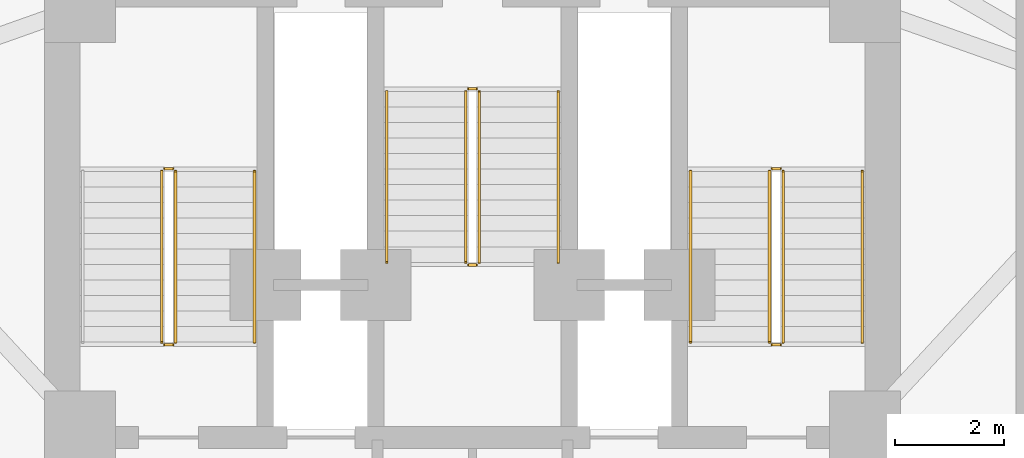
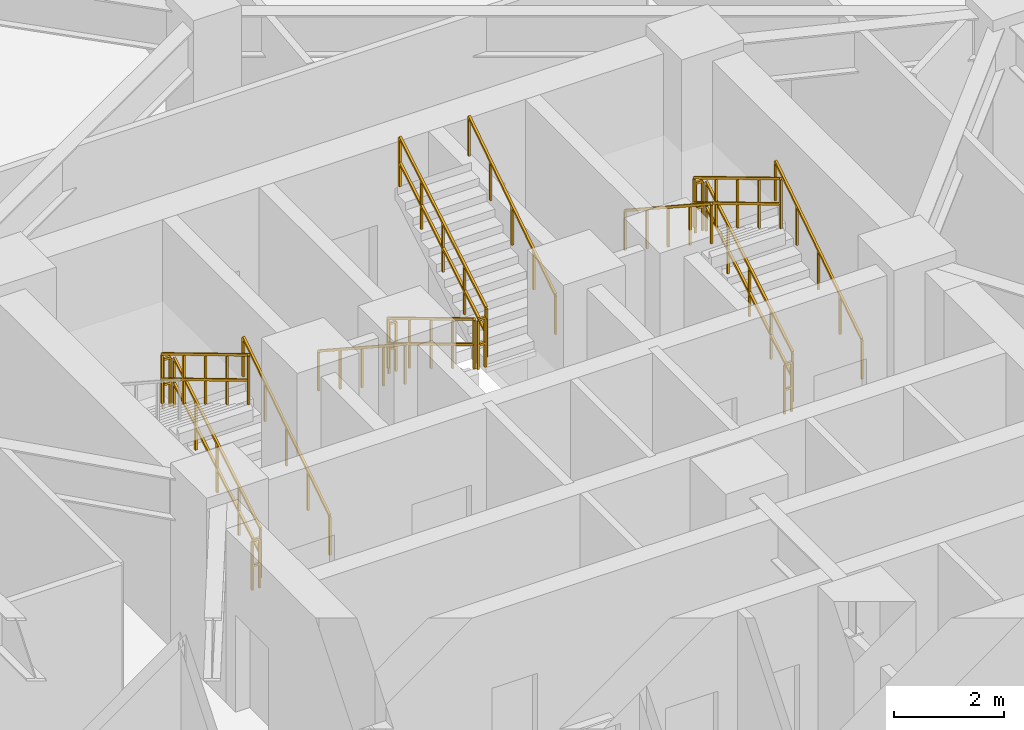
# One storey, part 9 of 10: 17 railings.
"""IFC4 building model written with IfcOpenShell, lengths in metres."""

from ifc_helpers import new_model, si_unit, direction, frame, origin, origin_2d, place, context, subcontext, project, spatial, rectangle, extrude, material, type_object, element, save


model = new_model("IFC4")

# Units and contexts
model_context = context("Model", 3, precision=1e-05, world=origin(), true_north=direction((0.0, 1.0)))
body_context = subcontext(model_context, "Body", "Model", "MODEL_VIEW")
ifc_project = project(units=[si_unit("LENGTHUNIT", "METRE"), si_unit("AREAUNIT", "SQUARE_METRE"), si_unit("VOLUMEUNIT", "CUBIC_METRE"), si_unit("PLANEANGLEUNIT", "RADIAN"), si_unit("MASSUNIT", "GRAM", prefix="KILO")], contexts=[model_context])

# Site, building, storey
site_placement = place(None, origin())
site = spatial("IfcSite", under=ifc_project, at=site_placement, CompositionType="ELEMENT")
building_placement = place(site_placement, origin())
building = spatial("IfcBuilding", under=site, at=building_placement, Name="Apsidion Concourse Tower", CompositionType="ELEMENT")
storey_placement = place(building_placement, frame((0.0, 0.0, 136.300048828125)))
storey = spatial("IfcBuildingStorey", under=building, at=storey_placement, Name="L31", CompositionType="ELEMENT", Elevation=136.300048828125)

# Railings
ifc_material = material(Name="Brushed stainless steel 316", Category="steel")
railing_type_1 = type_object("IfcRailingType", Name="RL-GUARD-1100", PredefinedType="GUARDRAIL", material=ifc_material)
railing_1_placement = place(storey_placement, frame((-5.449951171875, 3.0, 0.1708984375)))
element("IfcRailing", 1, at=railing_1_placement, inside=storey, type_object=railing_type_1, Name="L31 ST1 stair guard 1", PredefinedType="GUARDRAIL", context=body_context, shape_type="SweptSolid", body=[
    extrude(rectangle(XDim=0.048095703125, YDim=0.048095703125, at=origin_2d()), frame((0.0, 0.0, 1.09619140625), z_axis=(0.0, 0.857716804754, 0.514122439544), x_axis=(-1.0, 0.0, 0.0)), (0.0, 0.0, 1.0), 3.655029296875),
    extrude(rectangle(XDim=0.048095703125, YDim=0.048095703125, at=origin_2d()), frame((0.0, 0.0, 0.5361328125), z_axis=(0.0, 0.857716804754, 0.514122439544), x_axis=(-1.0, 0.0, 0.0)), (0.0, 0.0, 1.0), 3.655029296875),
    extrude(rectangle(XDim=0.0419921875, YDim=0.0419921875, at=origin_2d()), origin(), (0.0, 0.0, 1.0), 1.072021484375),
    extrude(rectangle(XDim=0.0419921875, YDim=0.0419921875, at=origin_2d()), frame((0.0, 0.78369140625, 0.4697265625)), (0.0, 0.0, 1.0), 1.072021484375),
    extrude(rectangle(XDim=0.0419921875, YDim=0.0419921875, at=origin_2d()), frame((0.0, 1.5673828125, 0.939453125)), (0.0, 0.0, 1.0), 1.072021484375),
    extrude(rectangle(XDim=0.0419921875, YDim=0.0419921875, at=origin_2d()), frame((0.0, 2.351318359375, 1.409423828125)), (0.0, 0.0, 1.0), 1.072021484375),
    extrude(rectangle(XDim=0.0419921875, YDim=0.0419921875, at=origin_2d()), frame((0.0, 3.135009765625, 1.879150390625)), (0.0, 0.0, 1.0), 1.072021484375),
])
railing_2_placement = place(storey_placement, frame((-5.5, 6.18505859375, 2.050048828125)))
element("IfcRailing", 2, at=railing_2_placement, inside=storey, type_object=railing_type_1, Name="L31 ST1 stair guard 2", PredefinedType="GUARDRAIL", context=body_context, shape_type="SweptSolid", body=[
    extrude(rectangle(XDim=0.048095703125, YDim=0.048095703125, at=origin_2d()), frame((0.0, 0.0, 1.09619140625), z_axis=(-1.0, 0.0, 0.0), x_axis=(0.0, -1.0, 0.0)), (0.0, 0.0, 1.0), 0.14990234375),
    extrude(rectangle(XDim=0.048095703125, YDim=0.048095703125, at=origin_2d()), frame((0.0, 0.0, 0.5361328125), z_axis=(-1.0, 0.0, 0.0), x_axis=(0.0, -1.0, 0.0)), (0.0, 0.0, 1.0), 0.14990234375),
    extrude(rectangle(XDim=0.0419921875, YDim=0.0419921875, at=origin_2d()), origin(), (0.0, 0.0, 1.0), 1.072021484375),
    extrude(rectangle(XDim=0.0419921875, YDim=0.0419921875, at=origin_2d()), frame((-0.14990234375, 0.0, 0.0)), (0.0, 0.0, 1.0), 1.072021484375),
])
railing_3_placement = place(storey_placement, frame((-5.699951171875, 6.135009765625, 2.220703125)))
element("IfcRailing", 3, at=railing_3_placement, inside=storey, type_object=railing_type_1, Name="L31 ST1 stair guard 3", PredefinedType="GUARDRAIL", context=body_context, shape_type="SweptSolid", body=[
    extrude(rectangle(XDim=0.048095703125, YDim=0.048095703125, at=origin_2d()), frame((0.0, 0.0, 1.09619140625), z_axis=(0.0, -0.857716804754, 0.514122439544), x_axis=(1.0, 0.0, 0.0)), (0.0, 0.0, 1.0), 3.655029296875),
    extrude(rectangle(XDim=0.048095703125, YDim=0.048095703125, at=origin_2d()), frame((0.0, 0.0, 0.5361328125), z_axis=(0.0, -0.857716804754, 0.514122439544), x_axis=(1.0, 0.0, 0.0)), (0.0, 0.0, 1.0), 3.655029296875),
    extrude(rectangle(XDim=0.0419921875, YDim=0.0419921875, at=origin_2d()), origin(), (0.0, 0.0, 1.0), 1.072021484375),
    extrude(rectangle(XDim=0.0419921875, YDim=0.0419921875, at=origin_2d()), frame((0.0, -0.78369140625, 0.4697265625)), (0.0, 0.0, 1.0), 1.072021484375),
    extrude(rectangle(XDim=0.0419921875, YDim=0.0419921875, at=origin_2d()), frame((0.0, -1.5673828125, 0.939453125)), (0.0, 0.0, 1.0), 1.072021484375),
    extrude(rectangle(XDim=0.0419921875, YDim=0.0419921875, at=origin_2d()), frame((0.0, -2.351318359375, 1.409423828125)), (0.0, 0.0, 1.0), 1.072021484375),
    extrude(rectangle(XDim=0.0419921875, YDim=0.0419921875, at=origin_2d()), frame((0.0, -3.135009765625, 1.879150390625)), (0.0, 0.0, 1.0), 1.072021484375),
])
railing_4_placement = place(storey_placement, frame((-5.5, 2.949951171875, 0.0)))
element("IfcRailing", 4, at=railing_4_placement, inside=storey, type_object=railing_type_1, Name="L31 ST1 stair guard 4", PredefinedType="GUARDRAIL", context=body_context, shape_type="SweptSolid", body=[
    extrude(rectangle(XDim=0.048095703125, YDim=0.048095703125, at=origin_2d()), frame((0.0, 0.0, 1.09619140625), z_axis=(-1.0, 0.0, 0.0), x_axis=(0.0, -1.0, 0.0)), (0.0, 0.0, 1.0), 0.14990234375),
    extrude(rectangle(XDim=0.048095703125, YDim=0.048095703125, at=origin_2d()), frame((0.0, 0.0, 0.5361328125), z_axis=(-1.0, 0.0, 0.0), x_axis=(0.0, -1.0, 0.0)), (0.0, 0.0, 1.0), 0.14990234375),
    extrude(rectangle(XDim=0.0419921875, YDim=0.0419921875, at=origin_2d()), origin(), (0.0, 0.0, 1.0), 1.072021484375),
    extrude(rectangle(XDim=0.0419921875, YDim=0.0419921875, at=origin_2d()), frame((-0.14990234375, 0.0, 0.0)), (0.0, 0.0, 1.0), 1.072021484375),
])
railing_5_placement = place(storey_placement, frame((5.699951171875, 3.0, 0.1708984375)))
element("IfcRailing", 5, at=railing_5_placement, inside=storey, type_object=railing_type_1, Name="L31 ST2 stair guard 1", PredefinedType="GUARDRAIL", context=body_context, shape_type="SweptSolid", body=[
    extrude(rectangle(XDim=0.048095703125, YDim=0.048095703125, at=origin_2d()), frame((0.0, 0.0, 1.09619140625), z_axis=(0.0, 0.857716804754, 0.514122439544), x_axis=(-1.0, 0.0, 0.0)), (0.0, 0.0, 1.0), 3.655029296875),
    extrude(rectangle(XDim=0.048095703125, YDim=0.048095703125, at=origin_2d()), frame((0.0, 0.0, 0.5361328125), z_axis=(0.0, 0.857716804754, 0.514122439544), x_axis=(-1.0, 0.0, 0.0)), (0.0, 0.0, 1.0), 3.655029296875),
    extrude(rectangle(XDim=0.0419921875, YDim=0.0419921875, at=origin_2d()), origin(), (0.0, 0.0, 1.0), 1.072021484375),
    extrude(rectangle(XDim=0.0419921875, YDim=0.0419921875, at=origin_2d()), frame((0.0, 0.78369140625, 0.4697265625)), (0.0, 0.0, 1.0), 1.072021484375),
    extrude(rectangle(XDim=0.0419921875, YDim=0.0419921875, at=origin_2d()), frame((0.0, 1.5673828125, 0.939453125)), (0.0, 0.0, 1.0), 1.072021484375),
    extrude(rectangle(XDim=0.0419921875, YDim=0.0419921875, at=origin_2d()), frame((0.0, 2.351318359375, 1.409423828125)), (0.0, 0.0, 1.0), 1.072021484375),
    extrude(rectangle(XDim=0.0419921875, YDim=0.0419921875, at=origin_2d()), frame((0.0, 3.135009765625, 1.879150390625)), (0.0, 0.0, 1.0), 1.072021484375),
])
railing_6_placement = place(storey_placement, frame((5.64990234375, 6.18505859375, 2.050048828125)))
element("IfcRailing", 6, at=railing_6_placement, inside=storey, type_object=railing_type_1, Name="L31 ST2 stair guard 2", PredefinedType="GUARDRAIL", context=body_context, shape_type="SweptSolid", body=[
    extrude(rectangle(XDim=0.048095703125, YDim=0.048095703125, at=origin_2d()), frame((0.0, 0.0, 1.09619140625), z_axis=(-1.0, 0.0, 0.0), x_axis=(0.0, -1.0, 0.0)), (0.0, 0.0, 1.0), 0.14990234375),
    extrude(rectangle(XDim=0.048095703125, YDim=0.048095703125, at=origin_2d()), frame((0.0, 0.0, 0.5361328125), z_axis=(-1.0, 0.0, 0.0), x_axis=(0.0, -1.0, 0.0)), (0.0, 0.0, 1.0), 0.14990234375),
    extrude(rectangle(XDim=0.0419921875, YDim=0.0419921875, at=origin_2d()), origin(), (0.0, 0.0, 1.0), 1.072021484375),
    extrude(rectangle(XDim=0.0419921875, YDim=0.0419921875, at=origin_2d()), frame((-0.14990234375, 0.0, 0.0)), (0.0, 0.0, 1.0), 1.072021484375),
])
railing_7_placement = place(storey_placement, frame((5.449951171875, 6.135009765625, 2.220703125)))
element("IfcRailing", 7, at=railing_7_placement, inside=storey, type_object=railing_type_1, Name="L31 ST2 stair guard 3", PredefinedType="GUARDRAIL", context=body_context, shape_type="SweptSolid", body=[
    extrude(rectangle(XDim=0.048095703125, YDim=0.048095703125, at=origin_2d()), frame((0.0, 0.0, 1.09619140625), z_axis=(0.0, -0.857716804754, 0.514122439544), x_axis=(1.0, 0.0, 0.0)), (0.0, 0.0, 1.0), 3.655029296875),
    extrude(rectangle(XDim=0.048095703125, YDim=0.048095703125, at=origin_2d()), frame((0.0, 0.0, 0.5361328125), z_axis=(0.0, -0.857716804754, 0.514122439544), x_axis=(1.0, 0.0, 0.0)), (0.0, 0.0, 1.0), 3.655029296875),
    extrude(rectangle(XDim=0.0419921875, YDim=0.0419921875, at=origin_2d()), origin(), (0.0, 0.0, 1.0), 1.072021484375),
    extrude(rectangle(XDim=0.0419921875, YDim=0.0419921875, at=origin_2d()), frame((0.0, -0.78369140625, 0.4697265625)), (0.0, 0.0, 1.0), 1.072021484375),
    extrude(rectangle(XDim=0.0419921875, YDim=0.0419921875, at=origin_2d()), frame((0.0, -1.5673828125, 0.939453125)), (0.0, 0.0, 1.0), 1.072021484375),
    extrude(rectangle(XDim=0.0419921875, YDim=0.0419921875, at=origin_2d()), frame((0.0, -2.351318359375, 1.409423828125)), (0.0, 0.0, 1.0), 1.072021484375),
    extrude(rectangle(XDim=0.0419921875, YDim=0.0419921875, at=origin_2d()), frame((0.0, -3.135009765625, 1.879150390625)), (0.0, 0.0, 1.0), 1.072021484375),
])
railing_8_placement = place(storey_placement, frame((5.64990234375, 2.949951171875, 0.0)))
element("IfcRailing", 8, at=railing_8_placement, inside=storey, type_object=railing_type_1, Name="L31 ST2 stair guard 4", PredefinedType="GUARDRAIL", context=body_context, shape_type="SweptSolid", body=[
    extrude(rectangle(XDim=0.048095703125, YDim=0.048095703125, at=origin_2d()), frame((0.0, 0.0, 1.09619140625), z_axis=(-1.0, 0.0, 0.0), x_axis=(0.0, -1.0, 0.0)), (0.0, 0.0, 1.0), 0.14990234375),
    extrude(rectangle(XDim=0.048095703125, YDim=0.048095703125, at=origin_2d()), frame((0.0, 0.0, 0.5361328125), z_axis=(-1.0, 0.0, 0.0), x_axis=(0.0, -1.0, 0.0)), (0.0, 0.0, 1.0), 0.14990234375),
    extrude(rectangle(XDim=0.0419921875, YDim=0.0419921875, at=origin_2d()), origin(), (0.0, 0.0, 1.0), 1.072021484375),
    extrude(rectangle(XDim=0.0419921875, YDim=0.0419921875, at=origin_2d()), frame((-0.14990234375, 0.0, 0.0)), (0.0, 0.0, 1.0), 1.072021484375),
])
railing_9_placement = place(storey_placement, frame((-0.125, 7.60009765625, 0.1708984375)))
element("IfcRailing", 9, at=railing_9_placement, inside=storey, type_object=railing_type_1, Name="L31 ST3 stair guard 1", PredefinedType="GUARDRAIL", context=body_context, shape_type="SweptSolid", body=[
    extrude(rectangle(XDim=0.048095703125, YDim=0.048095703125, at=origin_2d()), frame((0.0, 0.0, 1.09619140625), z_axis=(0.0, -0.857716804754, 0.514122439544), x_axis=(1.0, 0.0, 0.0)), (0.0, 0.0, 1.0), 3.655029296875),
    extrude(rectangle(XDim=0.048095703125, YDim=0.048095703125, at=origin_2d()), frame((0.0, 0.0, 0.5361328125), z_axis=(0.0, -0.857716804754, 0.514122439544), x_axis=(1.0, 0.0, 0.0)), (0.0, 0.0, 1.0), 3.655029296875),
    extrude(rectangle(XDim=0.0419921875, YDim=0.0419921875, at=origin_2d()), origin(), (0.0, 0.0, 1.0), 1.072021484375),
    extrude(rectangle(XDim=0.0419921875, YDim=0.0419921875, at=origin_2d()), frame((0.0, -0.78369140625, 0.4697265625)), (0.0, 0.0, 1.0), 1.072021484375),
    extrude(rectangle(XDim=0.0419921875, YDim=0.0419921875, at=origin_2d()), frame((0.0, -1.5673828125, 0.939453125)), (0.0, 0.0, 1.0), 1.072021484375),
    extrude(rectangle(XDim=0.0419921875, YDim=0.0419921875, at=origin_2d()), frame((0.0, -2.351318359375, 1.409423828125)), (0.0, 0.0, 1.0), 1.072021484375),
    extrude(rectangle(XDim=0.0419921875, YDim=0.0419921875, at=origin_2d()), frame((0.0, -3.135009765625, 1.879150390625)), (0.0, 0.0, 1.0), 1.072021484375),
])
railing_10_placement = place(storey_placement, frame((-0.074951171875, 4.4150390625, 2.050048828125)))
element("IfcRailing", 10, at=railing_10_placement, inside=storey, type_object=railing_type_1, Name="L31 ST3 stair guard 2", PredefinedType="GUARDRAIL", context=body_context, shape_type="SweptSolid", body=[
    extrude(rectangle(XDim=0.048095703125, YDim=0.048095703125, at=origin_2d()), frame((0.0, 0.0, 1.09619140625), z_axis=(1.0, 0.0, 0.0), x_axis=(0.0, 1.0, 0.0)), (0.0, 0.0, 1.0), 0.14990234375),
    extrude(rectangle(XDim=0.048095703125, YDim=0.048095703125, at=origin_2d()), frame((0.0, 0.0, 0.5361328125), z_axis=(1.0, 0.0, 0.0), x_axis=(0.0, 1.0, 0.0)), (0.0, 0.0, 1.0), 0.14990234375),
    extrude(rectangle(XDim=0.0419921875, YDim=0.0419921875, at=origin_2d()), origin(), (0.0, 0.0, 1.0), 1.072021484375),
    extrude(rectangle(XDim=0.0419921875, YDim=0.0419921875, at=origin_2d()), frame((0.14990234375, 0.0, 0.0)), (0.0, 0.0, 1.0), 1.072021484375),
])
railing_11_placement = place(storey_placement, frame((0.125, 4.465087890625, 2.220703125)))
element("IfcRailing", 11, at=railing_11_placement, inside=storey, type_object=railing_type_1, Name="L31 ST3 stair guard 3", PredefinedType="GUARDRAIL", context=body_context, shape_type="SweptSolid", body=[
    extrude(rectangle(XDim=0.048095703125, YDim=0.048095703125, at=origin_2d()), frame((0.0, 0.0, 1.09619140625), z_axis=(0.0, 0.857716804754, 0.514122439544), x_axis=(-1.0, 0.0, 0.0)), (0.0, 0.0, 1.0), 3.655029296875),
    extrude(rectangle(XDim=0.048095703125, YDim=0.048095703125, at=origin_2d()), frame((0.0, 0.0, 0.5361328125), z_axis=(0.0, 0.857716804754, 0.514122439544), x_axis=(-1.0, 0.0, 0.0)), (0.0, 0.0, 1.0), 3.655029296875),
    extrude(rectangle(XDim=0.0419921875, YDim=0.0419921875, at=origin_2d()), origin(), (0.0, 0.0, 1.0), 1.072021484375),
    extrude(rectangle(XDim=0.0419921875, YDim=0.0419921875, at=origin_2d()), frame((0.0, 0.78369140625, 0.4697265625)), (0.0, 0.0, 1.0), 1.072021484375),
    extrude(rectangle(XDim=0.0419921875, YDim=0.0419921875, at=origin_2d()), frame((0.0, 1.5673828125, 0.939453125)), (0.0, 0.0, 1.0), 1.072021484375),
    extrude(rectangle(XDim=0.0419921875, YDim=0.0419921875, at=origin_2d()), frame((0.0, 2.351318359375, 1.409423828125)), (0.0, 0.0, 1.0), 1.072021484375),
    extrude(rectangle(XDim=0.0419921875, YDim=0.0419921875, at=origin_2d()), frame((0.0, 3.135009765625, 1.879150390625)), (0.0, 0.0, 1.0), 1.072021484375),
])
railing_12_placement = place(storey_placement, frame((-0.074951171875, 7.64990234375, 0.0)))
element("IfcRailing", 12, at=railing_12_placement, inside=storey, type_object=railing_type_1, Name="L31 ST3 stair guard 4", PredefinedType="GUARDRAIL", context=body_context, shape_type="SweptSolid", body=[
    extrude(rectangle(XDim=0.048095703125, YDim=0.048095703125, at=origin_2d()), frame((0.0, 0.0, 1.09619140625), z_axis=(1.0, 0.0, 0.0), x_axis=(0.0, 1.0, 0.0)), (0.0, 0.0, 1.0), 0.14990234375),
    extrude(rectangle(XDim=0.048095703125, YDim=0.048095703125, at=origin_2d()), frame((0.0, 0.0, 0.5361328125), z_axis=(1.0, 0.0, 0.0), x_axis=(0.0, 1.0, 0.0)), (0.0, 0.0, 1.0), 0.14990234375),
    extrude(rectangle(XDim=0.0419921875, YDim=0.0419921875, at=origin_2d()), origin(), (0.0, 0.0, 1.0), 1.072021484375),
    extrude(rectangle(XDim=0.0419921875, YDim=0.0419921875, at=origin_2d()), frame((0.14990234375, 0.0, 0.0)), (0.0, 0.0, 1.0), 1.072021484375),
])
railing_type_2 = type_object("IfcRailingType", Name="RL-HAND-900", PredefinedType="HANDRAIL", material=ifc_material)
for number, where, name in (
    (13, (-4.0, 3.0, 0.1708984375), "L31 ST1 stair handrail 1"),
    (14, (7.14990234375, 3.0, 0.1708984375), "L31 ST2 stair handrail 1"),
):
    element("IfcRailing", number, at=place(storey_placement, frame(where)), inside=storey, type_object=railing_type_2, Name=name, PredefinedType="HANDRAIL", context=body_context, shape_type="SweptSolid", body=[
        extrude(rectangle(XDim=0.048095703125, YDim=0.048095703125, at=origin_2d()), frame((0.0, 0.0, 0.8759765625), z_axis=(0.0, 0.836970762213, 0.547247606848), x_axis=(-1.0, 0.0, 0.0)), (0.0, 0.0, 1.0), 3.74560546875),
        extrude(rectangle(XDim=0.0419921875, YDim=0.0419921875, at=origin_2d()), origin(), (0.0, 0.0, 1.0), 0.851806640625),
        extrude(rectangle(XDim=0.0419921875, YDim=0.0419921875, at=origin_2d()), frame((0.0, 0.78369140625, 0.512451171875)), (0.0, 0.0, 1.0), 0.851806640625),
        extrude(rectangle(XDim=0.0419921875, YDim=0.0419921875, at=origin_2d()), frame((0.0, 1.5673828125, 1.02490234375)), (0.0, 0.0, 1.0), 0.851806640625),
        extrude(rectangle(XDim=0.0419921875, YDim=0.0419921875, at=origin_2d()), frame((0.0, 2.351318359375, 1.537353515625)), (0.0, 0.0, 1.0), 0.851806640625),
        extrude(rectangle(XDim=0.0419921875, YDim=0.0419921875, at=origin_2d()), frame((0.0, 3.135009765625, 2.0498046875)), (0.0, 0.0, 1.0), 0.851806640625),
    ])
railing_13_placement = place(storey_placement, frame((4.0, 6.135009765625, 2.220703125)))
element("IfcRailing", 15, at=railing_13_placement, inside=storey, type_object=railing_type_2, Name="L31 ST2 stair handrail 2", PredefinedType="HANDRAIL", context=body_context, shape_type="SweptSolid", body=[
    extrude(rectangle(XDim=0.048095703125, YDim=0.048095703125, at=origin_2d()), frame((0.0, 0.0, 0.8759765625), z_axis=(0.0, -0.836940907821, 0.547293263996), x_axis=(1.0, 0.0, 0.0)), (0.0, 0.0, 1.0), 3.745849609375),
    extrude(rectangle(XDim=0.0419921875, YDim=0.0419921875, at=origin_2d()), origin(), (0.0, 0.0, 1.0), 0.851806640625),
    extrude(rectangle(XDim=0.0419921875, YDim=0.0419921875, at=origin_2d()), frame((0.0, -0.78369140625, 0.512451171875)), (0.0, 0.0, 1.0), 0.851806640625),
    extrude(rectangle(XDim=0.0419921875, YDim=0.0419921875, at=origin_2d()), frame((0.0, -1.5673828125, 1.02490234375)), (0.0, 0.0, 1.0), 0.851806640625),
    extrude(rectangle(XDim=0.0419921875, YDim=0.0419921875, at=origin_2d()), frame((0.0, -2.351318359375, 1.53759765625)), (0.0, 0.0, 1.0), 0.851806640625),
    extrude(rectangle(XDim=0.0419921875, YDim=0.0419921875, at=origin_2d()), frame((0.0, -3.135009765625, 2.050048828125)), (0.0, 0.0, 1.0), 0.851806640625),
])
railing_14_placement = place(storey_placement, frame((-1.574951171875, 7.60009765625, 0.1708984375)))
element("IfcRailing", 16, at=railing_14_placement, inside=storey, type_object=railing_type_2, Name="L31 ST3 stair handrail 1", PredefinedType="HANDRAIL", context=body_context, shape_type="SweptSolid", body=[
    extrude(rectangle(XDim=0.048095703125, YDim=0.048095703125, at=origin_2d()), frame((0.0, 0.0, 0.8759765625), z_axis=(0.0, -0.836970762213, 0.547247606848), x_axis=(1.0, 0.0, 0.0)), (0.0, 0.0, 1.0), 3.74560546875),
    extrude(rectangle(XDim=0.0419921875, YDim=0.0419921875, at=origin_2d()), origin(), (0.0, 0.0, 1.0), 0.851806640625),
    extrude(rectangle(XDim=0.0419921875, YDim=0.0419921875, at=origin_2d()), frame((0.0, -0.78369140625, 0.512451171875)), (0.0, 0.0, 1.0), 0.851806640625),
    extrude(rectangle(XDim=0.0419921875, YDim=0.0419921875, at=origin_2d()), frame((0.0, -1.5673828125, 1.02490234375)), (0.0, 0.0, 1.0), 0.851806640625),
    extrude(rectangle(XDim=0.0419921875, YDim=0.0419921875, at=origin_2d()), frame((0.0, -2.351318359375, 1.537353515625)), (0.0, 0.0, 1.0), 0.851806640625),
    extrude(rectangle(XDim=0.0419921875, YDim=0.0419921875, at=origin_2d()), frame((0.0, -3.135009765625, 2.0498046875)), (0.0, 0.0, 1.0), 0.851806640625),
])
railing_15_placement = place(storey_placement, frame((1.574951171875, 4.465087890625, 2.220703125)))
element("IfcRailing", 17, at=railing_15_placement, inside=storey, type_object=railing_type_2, Name="L31 ST3 stair handrail 2", PredefinedType="HANDRAIL", context=body_context, shape_type="SweptSolid", body=[
    extrude(rectangle(XDim=0.048095703125, YDim=0.048095703125, at=origin_2d()), frame((0.0, 0.0, 0.8759765625), z_axis=(0.0, 0.836940907821, 0.547293263996), x_axis=(-1.0, 0.0, 0.0)), (0.0, 0.0, 1.0), 3.745849609375),
    extrude(rectangle(XDim=0.0419921875, YDim=0.0419921875, at=origin_2d()), origin(), (0.0, 0.0, 1.0), 0.851806640625),
    extrude(rectangle(XDim=0.0419921875, YDim=0.0419921875, at=origin_2d()), frame((0.0, 0.78369140625, 0.512451171875)), (0.0, 0.0, 1.0), 0.851806640625),
    extrude(rectangle(XDim=0.0419921875, YDim=0.0419921875, at=origin_2d()), frame((0.0, 1.5673828125, 1.02490234375)), (0.0, 0.0, 1.0), 0.851806640625),
    extrude(rectangle(XDim=0.0419921875, YDim=0.0419921875, at=origin_2d()), frame((0.0, 2.351318359375, 1.53759765625)), (0.0, 0.0, 1.0), 0.851806640625),
    extrude(rectangle(XDim=0.0419921875, YDim=0.0419921875, at=origin_2d()), frame((0.0, 3.135009765625, 2.050048828125)), (0.0, 0.0, 1.0), 0.851806640625),
])

save(model, "model.ifc")
